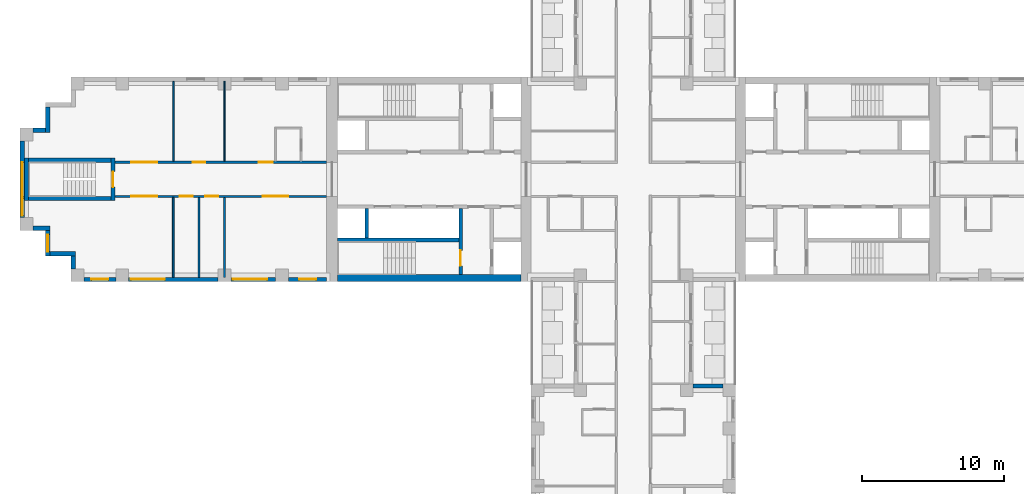
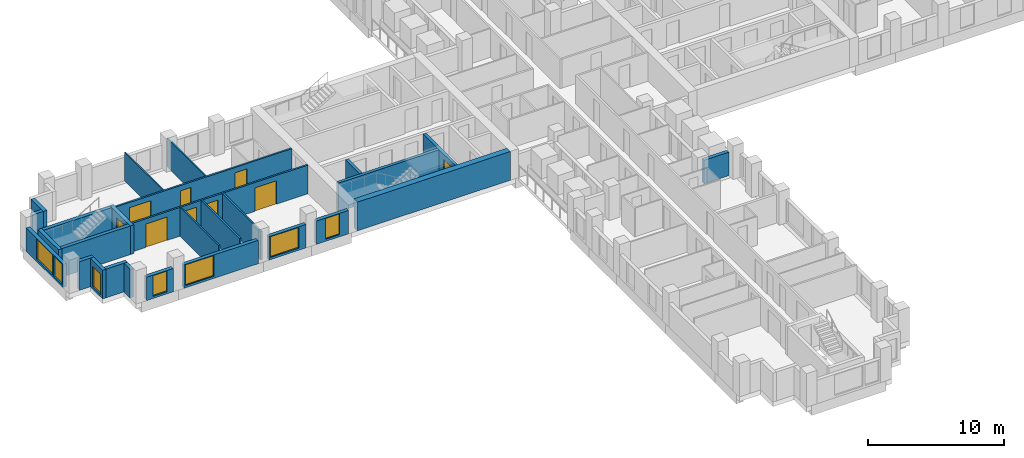
# One storey, part 5 of 15: 27 walls, 9 doors, 7 windows, 16 openings.
"""IFC4 building model written with IfcOpenShell, lengths in metres."""

from ifc_helpers import new_model, si_unit, direction, frame, frame_2d, origin, place, context, subcontext, project, spatial, rectangle, extrude, material, layer, layer_set, type_object, element, fill, save


model = new_model("IFC4")

# Units and contexts
model_context = context("Model", 3, precision=1e-05, world=origin(), true_north=direction((0.0, 1.0)))
body_context = subcontext(model_context, "Body", "Model", "MODEL_VIEW")
ifc_project = project(units=[si_unit("LENGTHUNIT", "METRE"), si_unit("AREAUNIT", "SQUARE_METRE"), si_unit("VOLUMEUNIT", "CUBIC_METRE"), si_unit("PLANEANGLEUNIT", "RADIAN"), si_unit("MASSUNIT", "GRAM", prefix="KILO")], contexts=[model_context])

# Site, building, storey
site_placement = place(None, origin())
site = spatial("IfcSite", under=ifc_project, at=site_placement, CompositionType="ELEMENT")
building_placement = place(site_placement, origin())
building = spatial("IfcBuilding", under=site, at=building_placement, Name="Fustian Cross Tower", CompositionType="ELEMENT")
storey_placement = place(building_placement, frame((0.0, 0.0, 38.699951171875)))
storey = spatial("IfcBuildingStorey", under=building, at=storey_placement, Name="L11", CompositionType="ELEMENT", Elevation=38.699951171875)

# Wall, openings, doors
ifc_material_1 = material(Name="Plasterboard on steel stud", Category="steel")
ifc_layer_1 = layer(ifc_material_1, 0.14990234375)
ifc_layer_set_1 = layer_set([ifc_layer_1], Name="Plasterboard on steel stud")
wall_type_1 = type_object("IfcWallType", Name="COMPARTMENT WALL 150 EI 60", PredefinedType="PARTITIONING", material=ifc_layer_set_1)
wall_1_placement = place(storey_placement, frame((-36.5, -1.199951171875, 0.0), z_axis=(0.0, 0.0, 1.0), x_axis=(1.0, 0.0, 0.0)))
wall_1 = element("IfcWall", 1, at=wall_1_placement, inside=storey, type_object=wall_type_1, Name="Partition 1", PredefinedType="PARTITIONING", context=body_context, shape_type="SweptSolid", body=[
    extrude(rectangle(XDim=14.89990234375, YDim=0.14990234375, at=frame_2d((7.449951171875, 0.0))), origin(), (0.0, 0.0, 1.0), 2.574951171875),
])
opening_1_placement = place(wall_1_placement, frame((10.39990234375, 0.0, 0.0)))
opening_1 = element("IfcOpeningElement", 2, at=opening_1_placement, cuts=wall_1, Name="Opening D07041", PredefinedType="OPENING", context=body_context, shape_type="SweptSolid", body=[
    extrude(rectangle(XDim=1.800048828125, YDim=2.10009765625, at=frame_2d((0.89990234375, 1.050048828125))), frame((0.0, 0.0849609375, 0.0), z_axis=(0.0, -1.0, 0.0), x_axis=(1.0, 0.0, 0.0)), (0.0, 0.0, 1.0), 0.169921875),
])
opening_2_placement = place(wall_1_placement, frame((6.35009765625, 0.0, 0.0)))
opening_2 = element("IfcOpeningElement", 3, at=opening_2_placement, cuts=wall_1, Name="Opening D07042", PredefinedType="OPENING", context=body_context, shape_type="SweptSolid", body=[
    extrude(rectangle(XDim=0.89990234375, YDim=2.10009765625, at=frame_2d((0.449951171875, 1.050048828125))), frame((0.0, 0.0849609375, 0.0), z_axis=(0.0, -1.0, 0.0), x_axis=(1.0, 0.0, 0.0)), (0.0, 0.0, 1.0), 0.169921875),
])
opening_3_placement = place(wall_1_placement, frame((4.550048828125, 0.0, 0.0)))
opening_3 = element("IfcOpeningElement", 4, at=opening_3_placement, cuts=wall_1, Name="Opening D07043", PredefinedType="OPENING", context=body_context, shape_type="SweptSolid", body=[
    extrude(rectangle(XDim=0.89990234375, YDim=2.10009765625, at=frame_2d((0.449951171875, 1.050048828125))), frame((0.0, 0.0849609375, 0.0), z_axis=(0.0, -1.0, 0.0), x_axis=(1.0, 0.0, 0.0)), (0.0, 0.0, 1.0), 0.169921875),
])
opening_4_placement = place(wall_1_placement, frame((1.14990234375, 0.0, 0.0)))
opening_4 = element("IfcOpeningElement", 5, at=opening_4_placement, cuts=wall_1, Name="Opening D07044", PredefinedType="OPENING", context=body_context, shape_type="SweptSolid", body=[
    extrude(rectangle(XDim=1.800048828125, YDim=2.10009765625, at=frame_2d((0.89990234375, 1.050048828125))), frame((0.0, 0.0849609375, 0.0), z_axis=(0.0, -1.0, 0.0), x_axis=(1.0, 0.0, 0.0)), (0.0, 0.0, 1.0), 0.169921875),
])
ifc_material_2 = material(Name="Timber fire door set", Category="wood")
door_type_1 = type_object("IfcDoorType", Name="FIRE DOUBLE DOOR 1800 FD30S", OperationType="DOUBLE_DOOR_DOUBLE_SWING", PredefinedType="DOOR", material=ifc_material_2)
door_1_placement = place(opening_1_placement, origin())
door_1 = element("IfcDoor", 6, at=door_1_placement, inside=storey, type_object=door_type_1, Name="Door D07041", OperationType="DOUBLE_DOOR_DOUBLE_SWING", OverallHeight=2.10009765625, OverallWidth=1.800048828125, PredefinedType="DOOR", context=body_context, shape_type="SweptSolid", body=[
    extrude(rectangle(XDim=1.800048828125, YDim=2.10009765625, at=frame_2d((0.89990234375, 1.050048828125))), frame((0.0, 0.02490234375, 0.0), z_axis=(0.0, -1.0, 0.0), x_axis=(1.0, 0.0, 0.0)), (0.0, 0.0, 1.0), 0.050048828125),
])
fill(opening_1, door_1)
door_2_placement = place(opening_4_placement, origin())
door_2 = element("IfcDoor", 7, at=door_2_placement, inside=storey, type_object=door_type_1, Name="Door D07044", OperationType="DOUBLE_DOOR_DOUBLE_SWING", OverallHeight=2.10009765625, OverallWidth=1.800048828125, PredefinedType="DOOR", context=body_context, shape_type="SweptSolid", body=[
    extrude(rectangle(XDim=1.800048828125, YDim=2.10009765625, at=frame_2d((0.89990234375, 1.050048828125))), frame((0.0, 0.02490234375, 0.0), z_axis=(0.0, -1.0, 0.0), x_axis=(1.0, 0.0, 0.0)), (0.0, 0.0, 1.0), 0.050048828125),
])
fill(opening_4, door_2)
ifc_material_3 = material(Name="Timber fire door set", Category="wood")
door_type_2 = type_object("IfcDoorType", Name="FIRE SWING DOOR 900 FD30S", OperationType="SINGLE_SWING_LEFT", PredefinedType="DOOR", material=ifc_material_3)
door_3_placement = place(opening_2_placement, frame((0.89990234375, 0.0, 0.0), z_axis=(0.0, 0.0, 1.0), x_axis=(-1.0, 0.0, 0.0)))
door_3 = element("IfcDoor", 8, at=door_3_placement, inside=storey, type_object=door_type_2, Name="Door D07042", OperationType="SINGLE_SWING_LEFT", OverallHeight=2.10009765625, OverallWidth=0.89990234375, PredefinedType="DOOR", context=body_context, shape_type="SweptSolid", body=[
    extrude(rectangle(XDim=0.89990234375, YDim=2.10009765625, at=frame_2d((0.449951171875, 1.050048828125))), frame((0.0, 0.02490234375, 0.0), z_axis=(0.0, -1.0, 0.0), x_axis=(1.0, 0.0, 0.0)), (0.0, 0.0, 1.0), 0.050048828125),
])
fill(opening_2, door_3)
door_4_placement = place(opening_3_placement, frame((0.89990234375, 0.0, 0.0), z_axis=(0.0, 0.0, 1.0), x_axis=(-1.0, 0.0, 0.0)))
door_4 = element("IfcDoor", 9, at=door_4_placement, inside=storey, type_object=door_type_2, Name="Door D07043", OperationType="SINGLE_SWING_LEFT", OverallHeight=2.10009765625, OverallWidth=0.89990234375, PredefinedType="DOOR", context=body_context, shape_type="SweptSolid", body=[
    extrude(rectangle(XDim=0.89990234375, YDim=2.10009765625, at=frame_2d((0.449951171875, 1.050048828125))), frame((0.0, 0.02490234375, 0.0), z_axis=(0.0, -1.0, 0.0), x_axis=(1.0, 0.0, 0.0)), (0.0, 0.0, 1.0), 0.050048828125),
])
fill(opening_3, door_4)

wall_2_placement = place(storey_placement, frame((-36.5, 1.199951171875, 0.0), z_axis=(0.0, 0.0, 1.0), x_axis=(1.0, 0.0, 0.0)))
wall_2 = element("IfcWall", 10, at=wall_2_placement, inside=storey, type_object=wall_type_1, Name="Partition 2", PredefinedType="PARTITIONING", context=body_context, shape_type="SweptSolid", body=[
    extrude(rectangle(XDim=14.89990234375, YDim=0.14990234375, at=frame_2d((7.449951171875, 0.0))), origin(), (0.0, 0.0, 1.0), 2.574951171875),
])
opening_5_placement = place(wall_2_placement, frame((10.10009765625, 0.0, 0.0)))
opening_5 = element("IfcOpeningElement", 11, at=opening_5_placement, cuts=wall_2, Name="Opening D07046", PredefinedType="OPENING", context=body_context, shape_type="SweptSolid", body=[
    extrude(rectangle(XDim=1.0, YDim=2.10009765625, at=frame_2d((0.5, 1.050048828125))), frame((0.0, 0.0849609375, 0.0), z_axis=(0.0, -1.0, 0.0), x_axis=(1.0, 0.0, 0.0)), (0.0, 0.0, 1.0), 0.169921875),
])
opening_6_placement = place(wall_2_placement, frame((5.449951171875, 0.0, 0.0)))
opening_6 = element("IfcOpeningElement", 12, at=opening_6_placement, cuts=wall_2, Name="Opening D07047", PredefinedType="OPENING", context=body_context, shape_type="SweptSolid", body=[
    extrude(rectangle(XDim=0.89990234375, YDim=2.10009765625, at=frame_2d((0.449951171875, 1.050048828125))), frame((0.0, 0.0849609375, 0.0), z_axis=(0.0, -1.0, 0.0), x_axis=(1.0, 0.0, 0.0)), (0.0, 0.0, 1.0), 0.169921875),
])
opening_7_placement = place(wall_2_placement, frame((1.14990234375, 0.0, 0.0)))
opening_7 = element("IfcOpeningElement", 13, at=opening_7_placement, cuts=wall_2, Name="Opening D07048", PredefinedType="OPENING", context=body_context, shape_type="SweptSolid", body=[
    extrude(rectangle(XDim=1.800048828125, YDim=2.10009765625, at=frame_2d((0.89990234375, 1.050048828125))), frame((0.0, 0.0849609375, 0.0), z_axis=(0.0, -1.0, 0.0), x_axis=(1.0, 0.0, 0.0)), (0.0, 0.0, 1.0), 0.169921875),
])
door_5_placement = place(opening_7_placement, frame((1.800048828125, 0.0, 0.0), z_axis=(0.0, 0.0, 1.0), x_axis=(-1.0, 0.0, 0.0)))
door_5 = element("IfcDoor", 14, at=door_5_placement, inside=storey, type_object=door_type_1, Name="Door D07048", OperationType="DOUBLE_DOOR_DOUBLE_SWING", OverallHeight=2.10009765625, OverallWidth=1.800048828125, PredefinedType="DOOR", context=body_context, shape_type="SweptSolid", body=[
    extrude(rectangle(XDim=1.800048828125, YDim=2.10009765625, at=frame_2d((0.89990234375, 1.050048828125))), frame((0.0, 0.02490234375, 0.0), z_axis=(0.0, -1.0, 0.0), x_axis=(1.0, 0.0, 0.0)), (0.0, 0.0, 1.0), 0.050048828125),
])
fill(opening_7, door_5)
ifc_material_4 = material(Name="Timber fire door set", Category="wood")
door_type_3 = type_object("IfcDoorType", Name="FIRE SWING DOOR 1000 FD30S", OperationType="SINGLE_SWING_LEFT", PredefinedType="DOOR", material=ifc_material_4)
door_6_placement = place(opening_5_placement, origin())
door_6 = element("IfcDoor", 15, at=door_6_placement, inside=storey, type_object=door_type_3, Name="Door D07046", OperationType="SINGLE_SWING_RIGHT", OverallHeight=2.10009765625, OverallWidth=1.0, PredefinedType="DOOR", context=body_context, shape_type="SweptSolid", body=[
    extrude(rectangle(XDim=1.0, YDim=2.10009765625, at=frame_2d((0.5, 1.050048828125))), frame((0.0, 0.02490234375, 0.0), z_axis=(0.0, -1.0, 0.0), x_axis=(1.0, 0.0, 0.0)), (0.0, 0.0, 1.0), 0.050048828125),
])
fill(opening_5, door_6)
door_7_placement = place(opening_6_placement, origin())
door_7 = element("IfcDoor", 16, at=door_7_placement, inside=storey, type_object=door_type_2, Name="Door D07047", OperationType="SINGLE_SWING_LEFT", OverallHeight=2.10009765625, OverallWidth=0.89990234375, PredefinedType="DOOR", context=body_context, shape_type="SweptSolid", body=[
    extrude(rectangle(XDim=0.89990234375, YDim=2.10009765625, at=frame_2d((0.449951171875, 1.050048828125))), frame((0.0, 0.02490234375, 0.0), z_axis=(0.0, -1.0, 0.0), x_axis=(1.0, 0.0, 0.0)), (0.0, 0.0, 1.0), 0.050048828125),
])
fill(opening_6, door_7)

# Walls
for number, where, z_axis, x_axis, name in (
    (17, (-30.60009765625, -6.89990234375, 0.0), (0.0, 0.0, 1.0), (0.0, 1.0, 0.0), "Partition 5"),
    (18, (-28.800048828125, -6.89990234375, 0.0), (0.0, 0.0, 1.0), (0.0, 1.0, 0.0), "Partition 6"),
):
    element("IfcWall", number, at=place(storey_placement, frame(where, z_axis=z_axis, x_axis=x_axis)), inside=storey, type_object=wall_type_1, Name=name, PredefinedType="PARTITIONING", context=body_context, shape_type="SweptSolid", body=[
        extrude(rectangle(XDim=5.625, YDim=0.14990234375, at=frame_2d((2.8125, 0.0))), origin(), (0.0, 0.0, 1.0), 2.574951171875),
    ])
ifc_material_5 = material(Name="Concrete C80/95", Category="concrete")
ifc_layer_2 = layer(ifc_material_5, 0.5)
ifc_layer_set_2 = layer_set([ifc_layer_2], Name="Concrete C80/95")
wall_type_2 = type_object("IfcWallType", Name="CORE FACADE WALL 500 C80/95", PredefinedType="SHEAR", material=ifc_layer_set_2)
wall_3_placement = place(storey_placement, frame((-7.89990234375, -6.949951171875, 0.0), z_axis=(0.0, 0.0, 1.0), x_axis=(-1.0, 0.0, 0.0)))
element("IfcWall", 19, at=wall_3_placement, inside=storey, type_object=wall_type_2, Name="Core facade wall", PredefinedType="SHEAR", context=body_context, shape_type="SweptSolid", body=[
    extrude(rectangle(XDim=12.9501953125, YDim=0.5, at=frame_2d((6.47509765625, 0.0))), origin(), (0.0, 0.0, 1.0), 2.574951171875),
])
ifc_material_6 = material(Name="Concrete C50/60", Category="concrete")
ifc_layer_3 = layer(ifc_material_6, 0.25)
ifc_layer_set_3 = layer_set([ifc_layer_3], Name="Concrete C50/60")
wall_type_3 = type_object("IfcWallType", Name="CORE SHAFT WALL 250 C50/60", PredefinedType="SHEAR", material=ifc_layer_set_3)
wall_4_placement = place(storey_placement, frame((-12.300048828125, -4.27490234375, 0.0), z_axis=(0.0, 0.0, 1.0), x_axis=(-1.0, 0.0, 0.0)))
element("IfcWall", 20, at=wall_4_placement, inside=storey, type_object=wall_type_3, Name="Core shaft wall", PredefinedType="SHEAR", context=body_context, shape_type="SweptSolid", body=[
    extrude(rectangle(XDim=8.550048828125, YDim=0.25, at=frame_2d((4.27490234375, 0.0))), origin(), (0.0, 0.0, 1.0), 2.574951171875),
])

# Wall, opening, door
wall_5_placement = place(storey_placement, frame((-12.175048828125, -2.050048828125, 0.0), z_axis=(0.0, 0.0, 1.0), x_axis=(0.0, -1.0, 0.0)))
wall_5 = element("IfcWall", 21, at=wall_5_placement, inside=storey, type_object=wall_type_3, Name="Core shaft wall", PredefinedType="SHEAR", context=body_context, shape_type="SweptSolid", body=[
    extrude(rectangle(XDim=4.64990234375, YDim=0.25, at=frame_2d((2.324951171875, 0.0))), origin(), (0.0, 0.0, 1.0), 2.574951171875),
])
opening_8_placement = place(wall_5_placement, frame((2.949951171875, 0.0, 0.0)))
opening_8 = element("IfcOpeningElement", 22, at=opening_8_placement, cuts=wall_5, Name="Opening CD-04-21", PredefinedType="OPENING", context=body_context, shape_type="SweptSolid", body=[
    extrude(rectangle(XDim=1.10009765625, YDim=2.10009765625, at=frame_2d((0.550048828125, 1.050048828125))), frame((0.0, 0.135009765625, 0.0), z_axis=(0.0, -1.0, 0.0), x_axis=(1.0, 0.0, 0.0)), (0.0, 0.0, 1.0), 0.27001953125),
])
ifc_material_7 = material(Name="Steel", Category="steel")
door_type_4 = type_object("IfcDoorType", Name="FIRE DOOR FD60S 1100X2100", OperationType="SINGLE_SWING_LEFT", PredefinedType="DOOR", material=ifc_material_7)
door_8_placement = place(opening_8_placement, frame((1.10009765625, 0.0, 0.0), z_axis=(0.0, 0.0, 1.0), x_axis=(-1.0, 0.0, 0.0)))
door_8 = element("IfcDoor", 23, at=door_8_placement, inside=storey, type_object=door_type_4, Name="Core door CD-04-21", OperationType="SINGLE_SWING_RIGHT", OverallHeight=2.10009765625, OverallWidth=1.10009765625, PredefinedType="DOOR", context=body_context, shape_type="SweptSolid", body=[
    extrude(rectangle(XDim=1.10009765625, YDim=2.10009765625, at=frame_2d((0.550048828125, 1.050048828125))), frame((0.0, 0.02490234375, 0.0), z_axis=(0.0, -1.0, 0.0), x_axis=(1.0, 0.0, 0.0)), (0.0, 0.0, 1.0), 0.050048828125),
])
fill(opening_8, door_8)

# Walls
ifc_material_8 = material(Name="Plasterboard on steel stud", Category="steel")
ifc_layer_4 = layer(ifc_material_8, 0.10009765625)
ifc_layer_set_4 = layer_set([ifc_layer_4], Name="Plasterboard on steel stud")
wall_type_4 = type_object("IfcWallType", Name="PARTITION 100 STUD", PredefinedType="PARTITIONING", material=ifc_layer_set_4)
for number, where, z_axis, x_axis, name in (
    (24, (-32.39990234375, 1.27490234375, 0.0), (0.0, 0.0, 1.0), (0.0, 1.0, 0.0), "Partition 4"),
    (25, (-28.800048828125, 1.27490234375, 0.0), (0.0, 0.0, 1.0), (0.0, 1.0, 0.0), "Partition 7"),
):
    element("IfcWall", number, at=place(storey_placement, frame(where, z_axis=z_axis, x_axis=x_axis)), inside=storey, type_object=wall_type_4, Name=name, PredefinedType="PARTITIONING", context=body_context, shape_type="SweptSolid", body=[
        extrude(rectangle(XDim=5.625, YDim=0.10009765625, at=frame_2d((2.8125, 0.0))), origin(), (0.0, 0.0, 1.0), 2.574951171875),
    ])
ifc_material_9 = material(Name="Concrete C40/50", Category="concrete")
ifc_layer_5 = layer(ifc_material_9, 0.25)
ifc_layer_set_5 = layer_set([ifc_layer_5], Name="Concrete C40/50")
wall_type_5 = type_object("IfcWallType", Name="SHAFT PARTITION WALL 250 C40/50", PredefinedType="PARTITIONING", material=ifc_layer_set_5)
wall_6_placement = place(storey_placement, frame((-18.77490234375, -2.050048828125, 0.0), z_axis=(0.0, 0.0, 1.0), x_axis=(0.0, -1.0, 0.0)))
element("IfcWall", 26, at=wall_6_placement, inside=storey, type_object=wall_type_5, Name="Core shaft wall", PredefinedType="PARTITIONING", context=body_context, shape_type="SweptSolid", body=[
    extrude(rectangle(XDim=2.099853515625, YDim=0.25, at=frame_2d((1.0498046875, 0.0))), origin(), (0.0, 0.0, 1.0), 2.574951171875),
])

# Wall, opening, door
ifc_material_10 = material(Name="Concrete C50/60", Category="concrete")
ifc_layer_6 = layer(ifc_material_10, 0.300048828125)
ifc_layer_set_6 = layer_set([ifc_layer_6], Name="Concrete C50/60")
wall_type_6 = type_object("IfcWallType", Name="STAIR ENCLOSURE WALL 300 C50/60", PredefinedType="SHEAR", material=ifc_layer_set_6)
wall_7_placement = place(storey_placement, frame((-36.64990234375, -1.5, 0.0), z_axis=(0.0, 0.0, 1.0), x_axis=(0.0, 1.0, 0.0)))
wall_7 = element("IfcWall", 27, at=wall_7_placement, inside=storey, type_object=wall_type_6, Name="Stair enclosure wall", PredefinedType="SHEAR", context=body_context, shape_type="SweptSolid", body=[
    extrude(rectangle(XDim=3.0, YDim=0.300048828125, at=frame_2d((1.5, 0.0))), origin(), (0.0, 0.0, 1.0), 2.574951171875),
])
opening_9_placement = place(wall_7_placement, frame((0.949951171875, 0.0, 0.0)))
opening_9 = element("IfcOpeningElement", 28, at=opening_9_placement, cuts=wall_7, Name="Opening CD-04-32", PredefinedType="OPENING", context=body_context, shape_type="SweptSolid", body=[
    extrude(rectangle(XDim=1.10009765625, YDim=2.10009765625, at=frame_2d((0.550048828125, 1.050048828125))), frame((0.0, 0.159912109375, 0.0), z_axis=(0.0, -1.0, 0.0), x_axis=(1.0, 0.0, 0.0)), (0.0, 0.0, 1.0), 0.320068359375),
])
door_9_placement = place(opening_9_placement, origin())
door_9 = element("IfcDoor", 29, at=door_9_placement, inside=storey, type_object=door_type_4, Name="Core door CD-04-32", OperationType="SINGLE_SWING_LEFT", OverallHeight=2.10009765625, OverallWidth=1.10009765625, PredefinedType="DOOR", context=body_context, shape_type="SweptSolid", body=[
    extrude(rectangle(XDim=1.10009765625, YDim=2.10009765625, at=frame_2d((0.550048828125, 1.050048828125))), frame((0.0, 0.02490234375, 0.0), z_axis=(0.0, -1.0, 0.0), x_axis=(1.0, 0.0, 0.0)), (0.0, 0.0, 1.0), 0.050048828125),
])
fill(opening_9, door_9)

# Walls
wall_8_placement = place(storey_placement, frame((-42.75, -1.5, 0.0), z_axis=(0.0, 0.0, 1.0), x_axis=(0.0, 1.0, 0.0)))
element("IfcWall", 30, at=wall_8_placement, inside=storey, type_object=wall_type_6, Name="Stair enclosure wall", PredefinedType="SHEAR", context=body_context, shape_type="SweptSolid", body=[
    extrude(rectangle(XDim=3.0, YDim=0.300048828125, at=frame_2d((1.5, 0.0))), origin(), (0.0, 0.0, 1.0), 2.574951171875),
])
for number, where, z_axis, x_axis, name in (
    (31, (-36.800048828125, -1.35009765625, 0.0), (0.0, 0.0, 1.0), (-1.0, 0.0, 0.0), "Stair enclosure wall"),
    (32, (-36.800048828125, 1.35009765625, 0.0), (0.0, 0.0, 1.0), (-1.0, 0.0, 0.0), "Stair enclosure wall"),
):
    element("IfcWall", number, at=place(storey_placement, frame(where, z_axis=z_axis, x_axis=x_axis)), inside=storey, type_object=wall_type_6, Name=name, PredefinedType="SHEAR", context=body_context, shape_type="SweptSolid", body=[
        extrude(rectangle(XDim=5.800048828125, YDim=0.300048828125, at=frame_2d((2.89990234375, 0.0))), origin(), (0.0, 0.0, 1.0), 2.574951171875),
    ])
ifc_material_11 = material(Name="Plasterboard on steel stud", Category="steel")
ifc_layer_7 = layer(ifc_material_11, 0.125)
ifc_layer_set_7 = layer_set([ifc_layer_7], Name="Plasterboard on steel stud")
wall_type_7 = type_object("IfcWallType", Name="WET WALL 125 STUD", PredefinedType="PARTITIONING", material=ifc_layer_set_7)
wall_9_placement = place(storey_placement, frame((-32.39990234375, -6.89990234375, 0.0), z_axis=(0.0, 0.0, 1.0), x_axis=(0.0, 1.0, 0.0)))
element("IfcWall", 33, at=wall_9_placement, inside=storey, type_object=wall_type_7, Name="Partition 3", PredefinedType="PARTITIONING", context=body_context, shape_type="SweptSolid", body=[
    extrude(rectangle(XDim=5.625, YDim=0.125, at=frame_2d((2.8125, 0.0))), origin(), (0.0, 0.0, 1.0), 2.574951171875),
])
ifc_material_12 = material(Name="Dark aluminium cladding on insulated backing wall", Category="aluminium")
ifc_layer_8 = layer(ifc_material_12, 0.300048828125)
ifc_layer_set_8 = layer_set([ifc_layer_8], Name="Dark aluminium cladding on insulated backing wall")
wall_type_8 = type_object("IfcWallType", Name="XW1 EXTERNAL WALL 300", PredefinedType="SOLIDWALL", material=ifc_layer_set_8)
wall_10_placement = place(storey_placement, frame((-41.25, 5.10009765625, 0.0), z_axis=(0.0, 0.0, 1.0), x_axis=(0.0, -1.0, 0.0)))
element("IfcWall", 34, at=wall_10_placement, inside=storey, type_object=wall_type_8, Name="External wall", PredefinedType="SOLIDWALL", context=body_context, shape_type="SweptSolid", body=[
    extrude(rectangle(XDim=1.800048828125, YDim=0.300048828125, at=frame_2d((0.89990234375, 0.0))), origin(), (0.0, 0.0, 1.0), 2.574951171875),
])
wall_11_placement = place(storey_placement, frame((-41.39990234375, 3.449951171875, 0.0), z_axis=(0.0, 0.0, 1.0), x_axis=(-1.0, 0.0, 0.0)))
element("IfcWall", 35, at=wall_11_placement, inside=storey, type_object=wall_type_8, Name="External wall", PredefinedType="SOLIDWALL", context=body_context, shape_type="SweptSolid", body=[
    extrude(rectangle(XDim=0.900146484375, YDim=0.300048828125, at=frame_2d((0.4501953125, 0.0))), origin(), (0.0, 0.0, 1.0), 2.574951171875),
])

# Wall, openings, windows
wall_12_placement = place(storey_placement, frame((-43.050048828125, 2.699951171875, 0.0), z_axis=(0.0, 0.0, 1.0), x_axis=(0.0, -1.0, 0.0)))
wall_12 = element("IfcWall", 36, at=wall_12_placement, inside=storey, type_object=wall_type_8, Name="External wall", PredefinedType="SOLIDWALL", context=body_context, shape_type="SweptSolid", body=[
    extrude(rectangle(XDim=5.39990234375, YDim=0.300048828125, at=frame_2d((2.699951171875, 0.0))), origin(), (0.0, 0.0, 1.0), 2.10009765625),
])
opening_10_placement = place(wall_12_placement, frame((1.5, 0.0, 0.199951171875)))
opening_10 = element("IfcOpeningElement", 37, at=opening_10_placement, cuts=wall_12, Name="Opening WN1", PredefinedType="OPENING", context=body_context, shape_type="SweptSolid", body=[
    extrude(rectangle(XDim=2.39990234375, YDim=1.85009765625, at=frame_2d((1.199951171875, 0.925048828125))), frame((0.0, 0.159912109375, 0.0), z_axis=(0.0, -1.0, 0.0), x_axis=(1.0, 0.0, 0.0)), (0.0, 0.0, 1.0), 0.320068359375),
])
opening_11_placement = place(wall_12_placement, frame((4.050048828125, 0.0, 0.199951171875)))
opening_11 = element("IfcOpeningElement", 38, at=opening_11_placement, cuts=wall_12, Name="Opening WN3", PredefinedType="OPENING", context=body_context, shape_type="SweptSolid", body=[
    extrude(rectangle(XDim=1.199951171875, YDim=1.85009765625, at=frame_2d((0.60009765625, 0.925048828125))), frame((0.0, 0.159912109375, 0.0), z_axis=(0.0, -1.0, 0.0), x_axis=(1.0, 0.0, 0.0)), (0.0, 0.0, 1.0), 0.320068359375),
])
ifc_material_13 = material(Name="Dark anodised aluminium and double glazing", Category="aluminium")
window_type_1 = type_object("IfcWindowType", Name="WN1 WINDOW 2400X1850", PartitioningType="SINGLE_PANEL", PredefinedType="WINDOW", material=ifc_material_13)
window_1_placement = place(opening_10_placement, origin())
window_1 = element("IfcWindow", 39, at=window_1_placement, inside=storey, type_object=window_type_1, Name="Window", OverallHeight=1.85009765625, OverallWidth=2.39990234375, PartitioningType="SINGLE_PANEL", PredefinedType="WINDOW", context=body_context, shape_type="SweptSolid", body=[
    extrude(rectangle(XDim=2.39990234375, YDim=1.85009765625, at=frame_2d((1.199951171875, 0.925048828125))), frame((0.0, 0.030029296875, 0.0), z_axis=(0.0, -1.0, 0.0), x_axis=(1.0, 0.0, 0.0)), (0.0, 0.0, 1.0), 0.06005859375),
])
fill(opening_10, window_1)
ifc_material_14 = material(Name="Dark anodised aluminium and double glazing", Category="aluminium")
window_type_2 = type_object("IfcWindowType", Name="WN3 WINDOW 1200X1850", PartitioningType="SINGLE_PANEL", PredefinedType="WINDOW", material=ifc_material_14)
window_2_placement = place(opening_11_placement, origin())
window_2 = element("IfcWindow", 40, at=window_2_placement, inside=storey, type_object=window_type_2, Name="Window", OverallHeight=1.85009765625, OverallWidth=1.199951171875, PartitioningType="SINGLE_PANEL", PredefinedType="WINDOW", context=body_context, shape_type="SweptSolid", body=[
    extrude(rectangle(XDim=1.199951171875, YDim=1.85009765625, at=frame_2d((0.60009765625, 0.925048828125))), frame((0.0, 0.030029296875, 0.0), z_axis=(0.0, -1.0, 0.0), x_axis=(1.0, 0.0, 0.0)), (0.0, 0.0, 1.0), 0.06005859375),
])
fill(opening_11, window_2)

# Wall
wall_13_placement = place(storey_placement, frame((-42.300048828125, -3.449951171875, 0.0), z_axis=(0.0, 0.0, 1.0), x_axis=(1.0, 0.0, 0.0)))
element("IfcWall", 41, at=wall_13_placement, inside=storey, type_object=wall_type_8, Name="External wall", PredefinedType="SOLIDWALL", context=body_context, shape_type="SweptSolid", body=[
    extrude(rectangle(XDim=1.199951171875, YDim=0.300048828125, at=frame_2d((0.60009765625, 0.0))), origin(), (0.0, 0.0, 1.0), 2.574951171875),
])

# Wall, opening, window
wall_14_placement = place(storey_placement, frame((-41.25, -3.60009765625, 0.0), z_axis=(0.0, 0.0, 1.0), x_axis=(0.0, -1.0, 0.0)))
wall_14 = element("IfcWall", 42, at=wall_14_placement, inside=storey, type_object=wall_type_8, Name="External wall", PredefinedType="SOLIDWALL", context=body_context, shape_type="SweptSolid", body=[
    extrude(rectangle(XDim=1.7998046875, YDim=0.300048828125, at=frame_2d((0.89990234375, 0.0))), origin(), (0.0, 0.0, 1.0), 2.574951171875),
])
opening_12_placement = place(wall_14_placement, frame((0.300048828125, 0.0, 0.199951171875)))
opening_12 = element("IfcOpeningElement", 43, at=opening_12_placement, cuts=wall_14, Name="Opening WN3", PredefinedType="OPENING", context=body_context, shape_type="SweptSolid", body=[
    extrude(rectangle(XDim=1.199951171875, YDim=1.85009765625, at=frame_2d((0.60009765625, 0.925048828125))), frame((0.0, 0.159912109375, 0.0), z_axis=(0.0, -1.0, 0.0), x_axis=(1.0, 0.0, 0.0)), (0.0, 0.0, 1.0), 0.320068359375),
])
window_3_placement = place(opening_12_placement, origin())
window_3 = element("IfcWindow", 44, at=window_3_placement, inside=storey, type_object=window_type_2, Name="Window", OverallHeight=1.85009765625, OverallWidth=1.199951171875, PartitioningType="SINGLE_PANEL", PredefinedType="WINDOW", context=body_context, shape_type="SweptSolid", body=[
    extrude(rectangle(XDim=1.199951171875, YDim=1.85009765625, at=frame_2d((0.60009765625, 0.925048828125))), frame((0.0, 0.030029296875, 0.0), z_axis=(0.0, -1.0, 0.0), x_axis=(1.0, 0.0, 0.0)), (0.0, 0.0, 1.0), 0.06005859375),
])
fill(opening_12, window_3)

# Walls
wall_15_placement = place(storey_placement, frame((-41.10009765625, -5.25, 0.0), z_axis=(0.0, 0.0, 1.0), x_axis=(1.0, 0.0, 0.0)))
element("IfcWall", 45, at=wall_15_placement, inside=storey, type_object=wall_type_8, Name="External wall", PredefinedType="SOLIDWALL", context=body_context, shape_type="SweptSolid", body=[
    extrude(rectangle(XDim=1.800048828125, YDim=0.300048828125, at=frame_2d((0.89990234375, 0.0))), origin(), (0.0, 0.0, 1.0), 2.574951171875),
])
wall_16_placement = place(storey_placement, frame((-39.449951171875, -5.39990234375, 0.0), z_axis=(0.0, 0.0, 1.0), x_axis=(0.0, -1.0, 0.0)))
element("IfcWall", 46, at=wall_16_placement, inside=storey, type_object=wall_type_8, Name="External wall", PredefinedType="SOLIDWALL", context=body_context, shape_type="SweptSolid", body=[
    extrude(rectangle(XDim=0.900146484375, YDim=0.300048828125, at=frame_2d((0.4501953125, 0.0))), origin(), (0.0, 0.0, 1.0), 2.574951171875),
])

# Wall, opening, window
wall_17_placement = place(storey_placement, frame((-38.699951171875, -7.050048828125, 0.0), z_axis=(0.0, 0.0, 1.0), x_axis=(1.0, 0.0, 0.0)))
wall_17 = element("IfcWall", 47, at=wall_17_placement, inside=storey, type_object=wall_type_8, Name="External wall", PredefinedType="SOLIDWALL", context=body_context, shape_type="SweptSolid", body=[
    extrude(rectangle(XDim=2.25, YDim=0.300048828125, at=frame_2d((1.125, 0.0))), origin(), (0.0, 0.0, 1.0), 2.10009765625),
])
opening_13_placement = place(wall_17_placement, frame((0.52490234375, 0.0, 0.199951171875)))
opening_13 = element("IfcOpeningElement", 48, at=opening_13_placement, cuts=wall_17, Name="Opening WN3", PredefinedType="OPENING", context=body_context, shape_type="SweptSolid", body=[
    extrude(rectangle(XDim=1.199951171875, YDim=1.85009765625, at=frame_2d((0.60009765625, 0.925048828125))), frame((0.0, 0.159912109375, 0.0), z_axis=(0.0, -1.0, 0.0), x_axis=(1.0, 0.0, 0.0)), (0.0, 0.0, 1.0), 0.320068359375),
])
window_4_placement = place(opening_13_placement, origin())
window_4 = element("IfcWindow", 49, at=window_4_placement, inside=storey, type_object=window_type_2, Name="Window", OverallHeight=1.85009765625, OverallWidth=1.199951171875, PartitioningType="SINGLE_PANEL", PredefinedType="WINDOW", context=body_context, shape_type="SweptSolid", body=[
    extrude(rectangle(XDim=1.199951171875, YDim=1.85009765625, at=frame_2d((0.60009765625, 0.925048828125))), frame((0.0, 0.030029296875, 0.0), z_axis=(0.0, -1.0, 0.0), x_axis=(1.0, 0.0, 0.0)), (0.0, 0.0, 1.0), 0.06005859375),
])
fill(opening_13, window_4)

wall_18_placement = place(storey_placement, frame((-35.550048828125, -7.050048828125, 0.0), z_axis=(0.0, 0.0, 1.0), x_axis=(1.0, 0.0, 0.0)))
wall_18 = element("IfcWall", 50, at=wall_18_placement, inside=storey, type_object=wall_type_8, Name="External wall", PredefinedType="SOLIDWALL", context=body_context, shape_type="SweptSolid", body=[
    extrude(rectangle(XDim=6.300048828125, YDim=0.300048828125, at=frame_2d((3.14990234375, 0.0))), origin(), (0.0, 0.0, 1.0), 2.10009765625),
])
opening_14_placement = place(wall_18_placement, frame((0.14990234375, 0.0, 0.199951171875)))
opening_14 = element("IfcOpeningElement", 51, at=opening_14_placement, cuts=wall_18, Name="Opening WN1", PredefinedType="OPENING", context=body_context, shape_type="SweptSolid", body=[
    extrude(rectangle(XDim=2.39990234375, YDim=1.85009765625, at=frame_2d((1.199951171875, 0.925048828125))), frame((0.0, 0.159912109375, 0.0), z_axis=(0.0, -1.0, 0.0), x_axis=(1.0, 0.0, 0.0)), (0.0, 0.0, 1.0), 0.320068359375),
])
window_5_placement = place(opening_14_placement, origin())
window_5 = element("IfcWindow", 52, at=window_5_placement, inside=storey, type_object=window_type_1, Name="Window", OverallHeight=1.85009765625, OverallWidth=2.39990234375, PartitioningType="SINGLE_PANEL", PredefinedType="WINDOW", context=body_context, shape_type="SweptSolid", body=[
    extrude(rectangle(XDim=2.39990234375, YDim=1.85009765625, at=frame_2d((1.199951171875, 0.925048828125))), frame((0.0, 0.030029296875, 0.0), z_axis=(0.0, -1.0, 0.0), x_axis=(1.0, 0.0, 0.0)), (0.0, 0.0, 1.0), 0.06005859375),
])
fill(opening_14, window_5)

wall_19_placement = place(storey_placement, frame((-28.35009765625, -7.050048828125, 0.0), z_axis=(0.0, 0.0, 1.0), x_axis=(1.0, 0.0, 0.0)))
wall_19 = element("IfcWall", 53, at=wall_19_placement, inside=storey, type_object=wall_type_8, Name="External wall", PredefinedType="SOLIDWALL", context=body_context, shape_type="SweptSolid", body=[
    extrude(rectangle(XDim=3.150146484375, YDim=0.300048828125, at=frame_2d((1.5751953125, 0.0))), origin(), (0.0, 0.0, 1.0), 2.10009765625),
])
opening_15_placement = place(wall_19_placement, frame((0.14990234375, 0.0, 0.199951171875)))
opening_15 = element("IfcOpeningElement", 54, at=opening_15_placement, cuts=wall_19, Name="Opening WN1", PredefinedType="OPENING", context=body_context, shape_type="SweptSolid", body=[
    extrude(rectangle(XDim=2.39990234375, YDim=1.85009765625, at=frame_2d((1.199951171875, 0.925048828125))), frame((0.0, 0.159912109375, 0.0), z_axis=(0.0, -1.0, 0.0), x_axis=(1.0, 0.0, 0.0)), (0.0, 0.0, 1.0), 0.320068359375),
])
window_6_placement = place(opening_15_placement, origin())
window_6 = element("IfcWindow", 55, at=window_6_placement, inside=storey, type_object=window_type_1, Name="Window", OverallHeight=1.85009765625, OverallWidth=2.39990234375, PartitioningType="SINGLE_PANEL", PredefinedType="WINDOW", context=body_context, shape_type="SweptSolid", body=[
    extrude(rectangle(XDim=2.39990234375, YDim=1.85009765625, at=frame_2d((1.199951171875, 0.925048828125))), frame((0.0, 0.030029296875, 0.0), z_axis=(0.0, -1.0, 0.0), x_axis=(1.0, 0.0, 0.0)), (0.0, 0.0, 1.0), 0.06005859375),
])
fill(opening_15, window_6)

wall_20_placement = place(storey_placement, frame((-24.300048828125, -7.050048828125, 0.0), z_axis=(0.0, 0.0, 1.0), x_axis=(1.0, 0.0, 0.0)))
wall_20 = element("IfcWall", 56, at=wall_20_placement, inside=storey, type_object=wall_type_8, Name="External wall", PredefinedType="SOLIDWALL", context=body_context, shape_type="SweptSolid", body=[
    extrude(rectangle(XDim=2.699951171875, YDim=0.300048828125, at=frame_2d((1.35009765625, 0.0))), origin(), (0.0, 0.0, 1.0), 2.10009765625),
])
opening_16_placement = place(wall_20_placement, frame((0.75, 0.0, 0.199951171875)))
opening_16 = element("IfcOpeningElement", 57, at=opening_16_placement, cuts=wall_20, Name="Opening WN3", PredefinedType="OPENING", context=body_context, shape_type="SweptSolid", body=[
    extrude(rectangle(XDim=1.199951171875, YDim=1.85009765625, at=frame_2d((0.60009765625, 0.925048828125))), frame((0.0, 0.159912109375, 0.0), z_axis=(0.0, -1.0, 0.0), x_axis=(1.0, 0.0, 0.0)), (0.0, 0.0, 1.0), 0.320068359375),
])
window_7_placement = place(opening_16_placement, origin())
window_7 = element("IfcWindow", 58, at=window_7_placement, inside=storey, type_object=window_type_2, Name="Window", OverallHeight=1.85009765625, OverallWidth=1.199951171875, PartitioningType="SINGLE_PANEL", PredefinedType="WINDOW", context=body_context, shape_type="SweptSolid", body=[
    extrude(rectangle(XDim=1.199951171875, YDim=1.85009765625, at=frame_2d((0.60009765625, 0.925048828125))), frame((0.0, 0.030029296875, 0.0), z_axis=(0.0, -1.0, 0.0), x_axis=(1.0, 0.0, 0.0)), (0.0, 0.0, 1.0), 0.06005859375),
])
fill(opening_16, window_7)

# Wall
wall_21_placement = place(storey_placement, frame((6.300048828125, -14.550048828125, 0.0), z_axis=(0.0, 0.0, 1.0), x_axis=(-1.0, 0.0, 0.0)))
element("IfcWall", 59, at=wall_21_placement, inside=storey, type_object=wall_type_8, Name="External wall", PredefinedType="SOLIDWALL", context=body_context, shape_type="SweptSolid", body=[
    extrude(rectangle(XDim=2.10009765625, YDim=0.300048828125, at=frame_2d((1.050048828125, 0.0))), origin(), (0.0, 0.0, 1.0), 2.10009765625),
])

save(model, "model.ifc")
